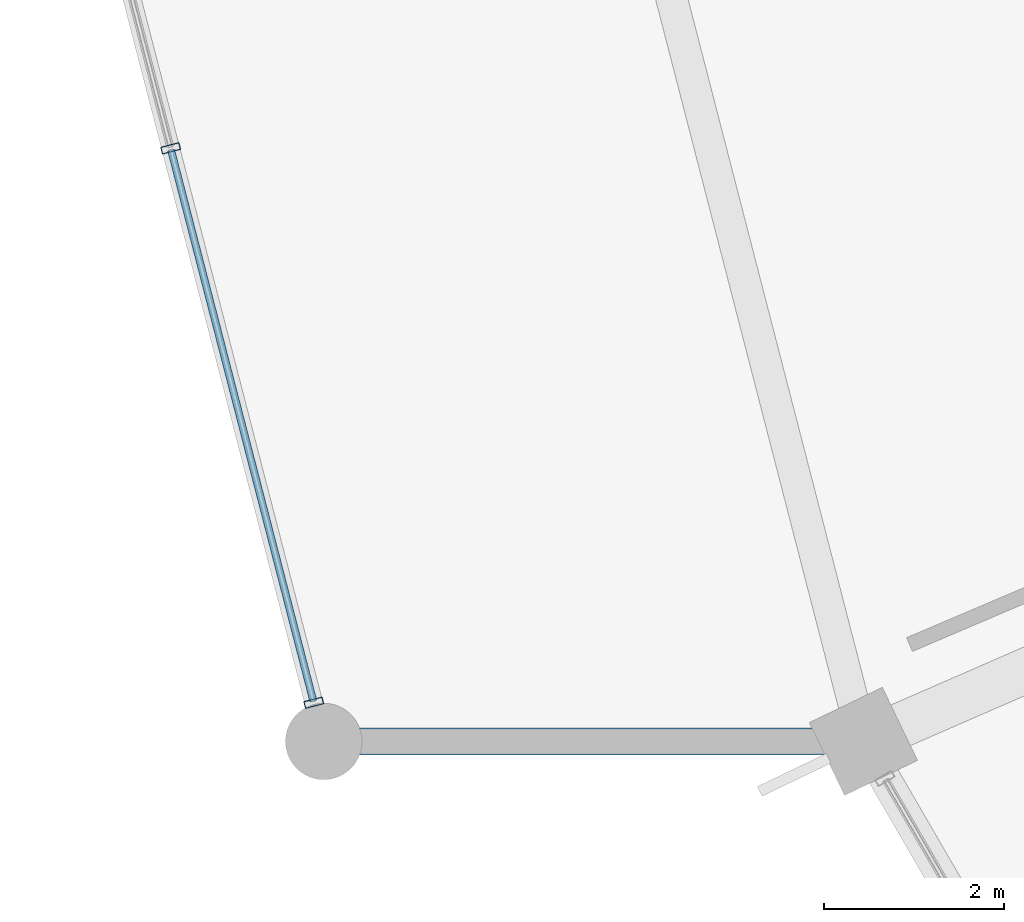
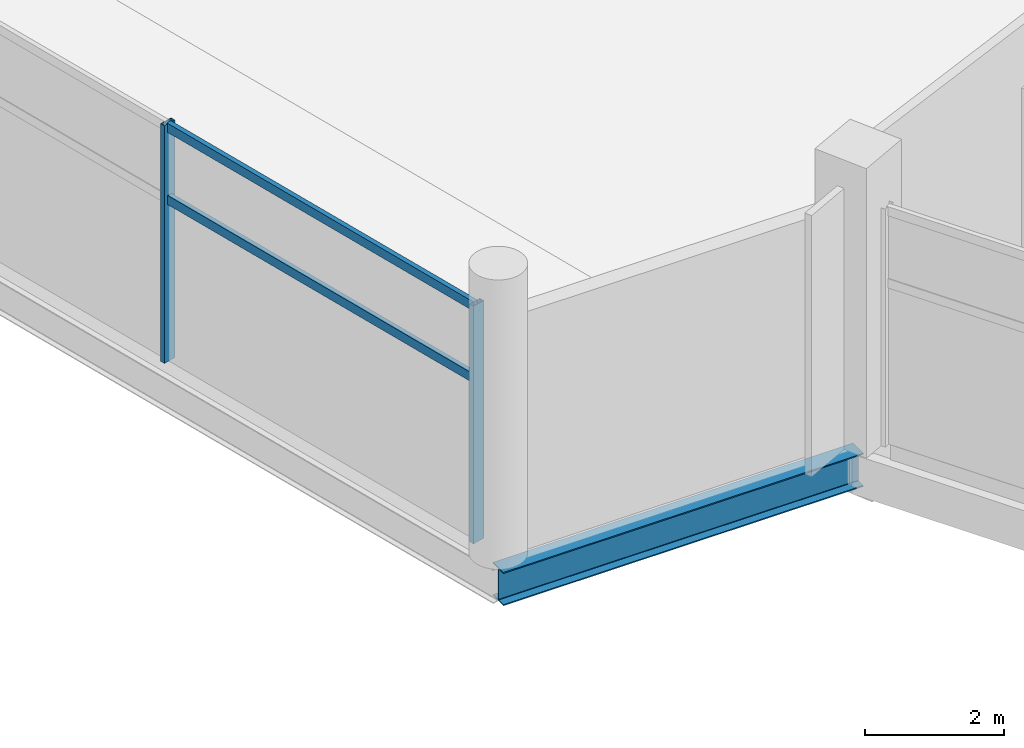
# One storey, part 8 of 184: 4 members, 1 beam, 1 element without a shape of its own.
"""IFC4 building model written with IfcOpenShell, lengths in metres."""

from ifc_helpers import new_model, si_unit, direction, frame, origin, origin_2d, place, context, subcontext, project, spatial, hollow_rectangle, i_section, extrude, material, layer, layer_set, material_profile, profile_set, type_object, element, aggregate, save


model = new_model("IFC4")

# Units and contexts
model_context = context("Model", 3, precision=1e-05, world=origin(), true_north=direction((0.0, 1.0)))
body_context = subcontext(model_context, "Body", "Model", "MODEL_VIEW")
ifc_project = project(units=[si_unit("LENGTHUNIT", "METRE"), si_unit("AREAUNIT", "SQUARE_METRE"), si_unit("VOLUMEUNIT", "CUBIC_METRE"), si_unit("PLANEANGLEUNIT", "RADIAN"), si_unit("MASSUNIT", "GRAM", prefix="KILO")], contexts=[model_context])

# Site, building, storey
site_placement = place(None, origin())
site = spatial("IfcSite", under=ifc_project, at=site_placement, CompositionType="ELEMENT")
building_placement = place(site_placement, origin())
building = spatial("IfcBuilding", under=site, at=building_placement, Name="Kazemori Nagisa Stadium", CompositionType="ELEMENT")
storey_placement = place(building_placement, frame((0.0, 0.0, 10.5400390625)))
storey = spatial("IfcBuildingStorey", under=building, at=storey_placement, Name="L02", CompositionType="ELEMENT", Elevation=10.5400390625)

# Beam
ifc_material_1 = material(Name="Steel SN490B", Category="steel")
ifc_material_profile_1 = material_profile(ifc_material_1, i_section(OverallWidth=0.300048828125, OverallDepth=0.587890625, WebThickness=0.011962890625, FlangeThickness=0.02001953125, FilletRadius=0.012939453125, at=origin_2d()), Name="H-588x300x12x20")
ifc_profile_set_1 = profile_set([ifc_material_profile_1], Name="Steel SN490B")
beam_type = type_object("IfcBeamType", Name="Beam_BG-H588", PredefinedType="BEAM", material=ifc_profile_set_1)
beam_placement = place(storey_placement, frame((34.114990234375, 63.25048828125, -0.553955078125), z_axis=(-1.0, 0.0, 0.0), x_axis=(0.0, -1.0, 0.0)))
element("IfcBeam", 1, at=beam_placement, inside=storey, type_object=beam_type, Name="Boulevard radial girder BG-H588 L02 R4-17", PredefinedType="BEAM", context=body_context, shape_type="SweptSolid", body=[
    extrude(i_section(OverallWidth=0.300048828125, OverallDepth=0.587890625, WebThickness=0.011962890625, FlangeThickness=0.02001953125, FilletRadius=0.012939453125, at=origin_2d()), origin(), (0.0, 0.0, 1.0), 6.0),
])

# Curtain wall, members
ifc_material_2 = material(Name="Anodised aluminium 6063-T5", Category="aluminium")
ifc_layer = layer(ifc_material_2, 0.2099609375, Name="Anodised aluminium 6063-T5", Category="aluminium")
ifc_layer_set = layer_set([ifc_layer], Name="Anodised aluminium 6063-T5")
curtain_wall_type = type_object("IfcCurtainWallType", Name="CW_L02R3_96", PredefinedType="USERDEFINED", material=ifc_layer_set)
curtain_wall_placement = place(storey_placement, origin())
curtain_wall = element("IfcCurtainWall", 2, at=curtain_wall_placement, inside=storey, type_object=curtain_wall_type, Name="Unitised curtain wall CW-L02R3-96 L02", ObjectType="UNITISED CURTAIN WALL", PredefinedType="USERDEFINED")
ifc_material_3 = material(Name="Aluminium 6063-T5 anodised", Category="aluminium")
ifc_material_profile_2 = material_profile(ifc_material_3, hollow_rectangle(XDim=0.080078125, YDim=0.2099609375, WallThickness=0.0048828125, at=origin_2d()), Name="ALU-MULL-80x210x5")
ifc_profile_set_2 = profile_set([ifc_material_profile_2], Name="Aluminium 6063-T5 anodised")
member_type_1 = type_object("IfcMemberType", Name="Mullion_M02", PredefinedType="MULLION", material=ifc_profile_set_2)
member_1_placement = place(storey_placement, frame((26.41259765625, 69.8447265625, 0.0), z_axis=(0.0, 0.0, 1.0), x_axis=(0.249964642418, -0.968254965152, 0.0)))
member_1 = element("IfcMember", 3, at=member_1_placement, type_object=member_type_1, Name="Curtain wall mullion CW-L02R3-96-M3", PredefinedType="MULLION", context=body_context, shape_type="SweptSolid", body=[
    extrude(hollow_rectangle(XDim=0.080078125, YDim=0.2099609375, WallThickness=0.0048828125, at=origin_2d()), origin(), (0.0, 0.0, 1.0), 4.18994140625),
])
member_2_placement = place(storey_placement, frame((28.00390625, 63.681396484375, 0.0), z_axis=(0.0, 0.0, 1.0), x_axis=(0.249964642418, -0.968254965152, 0.0)))
member_2 = element("IfcMember", 4, at=member_2_placement, type_object=member_type_1, Name="Curtain wall mullion CW-L02R3-96-M4", PredefinedType="MULLION", context=body_context, shape_type="SweptSolid", body=[
    extrude(hollow_rectangle(XDim=0.080078125, YDim=0.2099609375, WallThickness=0.0048828125, at=origin_2d()), origin(), (0.0, 0.0, 1.0), 4.18994140625),
])
ifc_material_profile_3 = material_profile(ifc_material_3, hollow_rectangle(XDim=0.080078125, YDim=0.159912109375, WallThickness=0.00390625, at=origin_2d()), Name="ALU-TRAN-80x160x4")
ifc_profile_set_3 = profile_set([ifc_material_profile_3], Name="Aluminium 6063-T5 anodised")
member_type_2 = type_object("IfcMemberType", Name="Transom_T02", PredefinedType="USERDEFINED", material=ifc_profile_set_3)
member_3_placement = place(storey_placement, frame((26.417724609375, 69.825439453125, 2.84912109375), z_axis=(0.249948056089, -0.968259246926, 0.0), x_axis=(0.968259246926, 0.249948056089, 0.0)))
member_3 = element("IfcMember", 5, at=member_3_placement, type_object=member_type_2, Name="Curtain wall transom CW-L02R3-96-T3-mid", ObjectType="TRANSOM", PredefinedType="USERDEFINED", context=body_context, shape_type="SweptSolid", body=[
    extrude(hollow_rectangle(XDim=0.080078125, YDim=0.159912109375, WallThickness=0.00390625, at=origin_2d()), origin(), (0.0, 0.0, 1.0), 6.325439453125),
])
member_4_placement = place(storey_placement, frame((26.417724609375, 69.825439453125, 4.119873046875), z_axis=(0.249948056089, -0.968259246926, 0.0), x_axis=(0.968259246926, 0.249948056089, 0.0)))
member_4 = element("IfcMember", 6, at=member_4_placement, type_object=member_type_2, Name="Curtain wall transom CW-L02R3-96-T3-head", ObjectType="TRANSOM", PredefinedType="USERDEFINED", context=body_context, shape_type="SweptSolid", body=[
    extrude(hollow_rectangle(XDim=0.080078125, YDim=0.159912109375, WallThickness=0.00390625, at=origin_2d()), origin(), (0.0, 0.0, 1.0), 6.325439453125),
])
aggregate(curtain_wall, [member_1, member_2, member_3, member_4])

save(model, "model.ifc")
